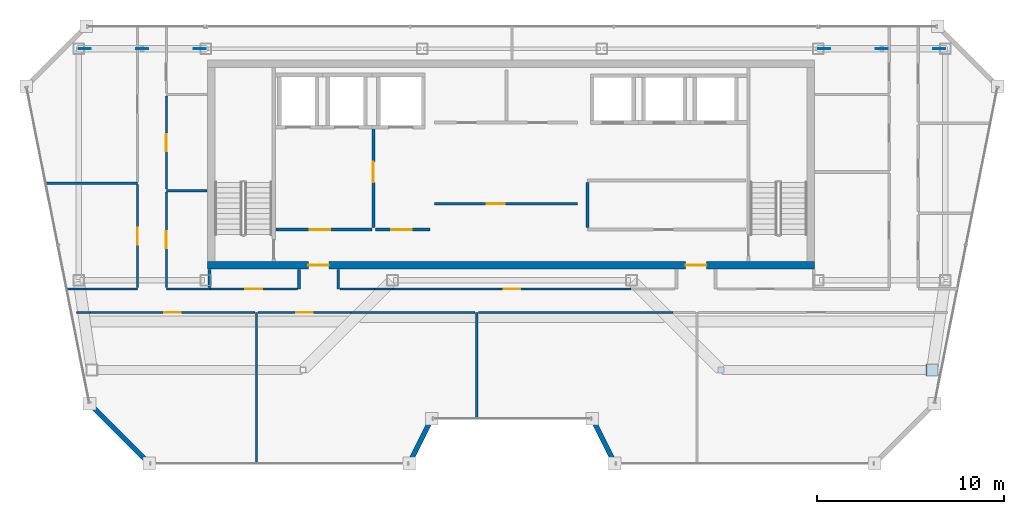
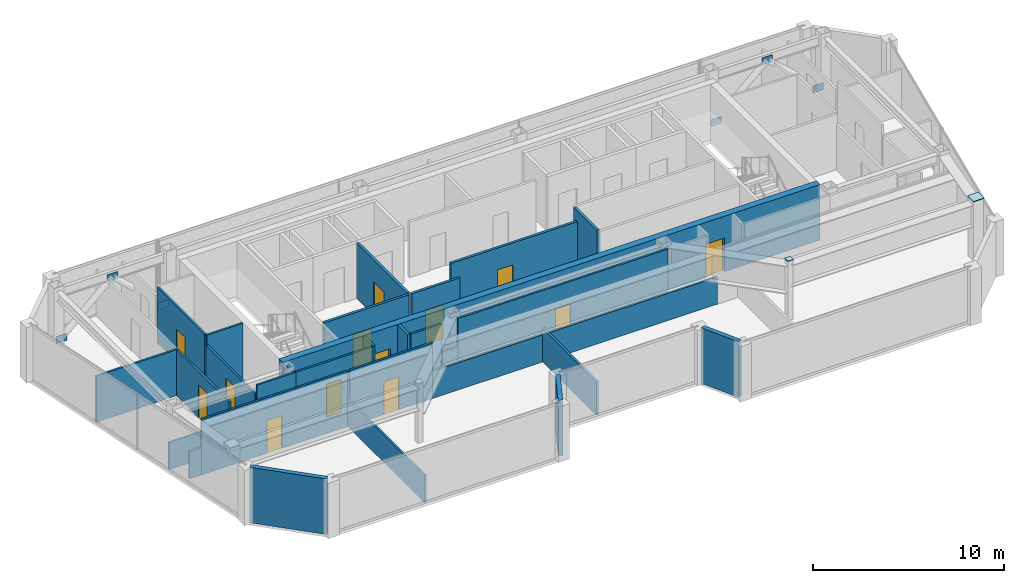
# One storey, part 19 of 24: 30 walls, 13 doors, 8 plates, 13 openings.
"""IFC4 building model written with IfcOpenShell, lengths in metres."""

import ifcopenshell
import ifcopenshell.guid

model = None  # the IFC model being written
_history = None  # IfcOwnerHistory: only IFC2X3 demands one
_inside = {}  # id of a spatial element -> (the spatial element, [elements in it])
_under = {}  # id of a project, library or spatial element -> (it, [spatial elements below it])
_declared = {}  # id of a project -> (the project, [libraries it declares])
_typed = {}  # id of a type object -> (the type object, [elements of that type])
_made_of = {}  # id of a material, layer set ... -> (it, [elements and type objects made of it])


def new_model(schema):
    """Start an empty IFC model of exactly this schema.

    Asked for "IFC4X3", IfcOpenShell would pick the latest addendum, in which some entities
    have other attributes; the version numbers below select the first issue.
    IFC2X3 requires an IfcOwnerHistory on every rooted entity: one is made here for all.
    """
    global model, _history
    if schema == "IFC4X3":
        model = ifcopenshell.file(schema_version=(4, 3, 0, 0))
    else:
        model = ifcopenshell.file(schema=schema)
    _inside.clear()
    _under.clear()
    _declared.clear()
    _typed.clear()
    _made_of.clear()
    _history = None
    if model.schema == "IFC2X3":
        org = make("IfcOrganization", Name="unknown")
        user = make(
            "IfcPersonAndOrganization",
            ThePerson=make("IfcPerson", FamilyName="unknown"),
            TheOrganization=org,
        )
        app = make(
            "IfcApplication",
            ApplicationDeveloper=org,
            Version="unknown",
            ApplicationFullName="unknown",
            ApplicationIdentifier="unknown",
        )
        _history = make(
            "IfcOwnerHistory",
            OwningUser=user,
            OwningApplication=app,
            ChangeAction="ADDED",
            CreationDate=0,
        )
    return model


def make(cls, **values):
    """One entity of the class cls with the attributes given. An attribute that is None is left unset."""
    return model.create_entity(
        cls, **{name: value for name, value in values.items() if value is not None}
    )


def rooted(cls, **values):
    """An entity with a GlobalId (a new one), such as an element, a storey or a relation."""
    return make(cls, GlobalId=ifcopenshell.guid.new(), OwnerHistory=_history, **values)


def si_unit(unit_type, name, prefix=None):
    """IfcSIUnit, for example si_unit("LENGTHUNIT", "METRE", prefix="MILLI")."""
    return make("IfcSIUnit", UnitType=unit_type, Prefix=prefix, Name=name)


def assignment(units):
    """IfcUnitAssignment: the units of a project."""
    return None if units is None else make("IfcUnitAssignment", Units=units)


def point(xyz):
    """IfcCartesianPoint."""
    return None if xyz is None else make("IfcCartesianPoint", Coordinates=xyz)


def direction(xyz):
    """IfcDirection."""
    return None if xyz is None else make("IfcDirection", DirectionRatios=xyz)


def frame(location, z_axis=None, x_axis=None):
    """IfcAxis2Placement3D, a coordinate frame: its origin and axes. An axis left out is left unset."""
    return make(
        "IfcAxis2Placement3D",
        Location=point(location),
        Axis=direction(z_axis),
        RefDirection=direction(x_axis),
    )


def frame_2d(location, x_axis=None):
    """IfcAxis2Placement2D, a coordinate frame in the plane: its origin and x axis."""
    return make(
        "IfcAxis2Placement2D", Location=point(location), RefDirection=direction(x_axis)
    )


def origin():
    """The frame at (0, 0, 0) with its axes left unset."""
    return frame((0.0, 0.0, 0.0))


def origin_2d():
    """The frame at (0, 0) in the plane with its x axis left unset."""
    return frame_2d((0.0, 0.0))


def place(relative_to, where):
    """IfcLocalPlacement: puts the frame where relative to a parent placement (None: the world)."""
    return make(
        "IfcLocalPlacement", PlacementRelTo=relative_to, RelativePlacement=where
    )


def context(
    kind, dimensions, precision=None, world=None, true_north=None, identifier=None
):
    """IfcGeometricRepresentationContext, for example the 3D "Model" context."""
    return make(
        "IfcGeometricRepresentationContext",
        ContextIdentifier=identifier,
        ContextType=kind,
        CoordinateSpaceDimension=dimensions,
        Precision=precision,
        WorldCoordinateSystem=world,
        TrueNorth=true_north,
    )


def subcontext(parent, identifier, kind, view, scale=None):
    """IfcGeometricRepresentationSubContext, for example "Body" below "Model"."""
    return make(
        "IfcGeometricRepresentationSubContext",
        ContextIdentifier=identifier,
        ContextType=kind,
        ParentContext=parent,
        TargetScale=scale,
        TargetView=view,
    )


def project(units=None, contexts=None):
    """IfcProject with its units and contexts."""
    return rooted(
        "IfcProject",
        Name="project",
        RepresentationContexts=contexts,
        UnitsInContext=assignment(units),
    )


def spatial(cls, under=None, at=None, **own):
    """A site, building, storey or space (cls), placed at a placement, below another one or the project."""
    s = rooted(cls, ObjectPlacement=at, **own)
    if under is not None:
        _under.setdefault(under.id(), (under, []))[1].append(s)
    return s


def profile(cls, at=None, kind="AREA", **sizes):
    """A parametric profile (cls). Its sizes go by their IFC names, for example OverallWidth=200.0."""
    return make(cls, ProfileType=kind, Position=at, **sizes)


def rectangle(**sizes):
    """IfcRectangleProfileDef."""
    return profile("IfcRectangleProfileDef", **sizes)


def extrude(swept, where, along, depth):
    """IfcExtrudedAreaSolid: the profile swept, set in the frame where, extruded along a direction by depth."""
    return make(
        "IfcExtrudedAreaSolid",
        SweptArea=swept,
        Position=where,
        ExtrudedDirection=direction(along),
        Depth=depth,
    )


def shape(context_of_items, identifier, shape_type, items):
    """IfcShapeRepresentation: the items that make up one representation, for example the "Body"."""
    return make(
        "IfcShapeRepresentation",
        ContextOfItems=context_of_items,
        RepresentationIdentifier=identifier,
        RepresentationType=shape_type,
        Items=items,
    )


def material(Name=None, Category=None):
    """IfcMaterial."""
    return make("IfcMaterial", Name=Name, Category=Category)


def layer(
    of_material, thickness, ventilated=None, Name=None, Category=None, Priority=None
):
    """IfcMaterialLayer: one layer of a wall or slab, of a material (None: an air gap)."""
    return make(
        "IfcMaterialLayer",
        Material=of_material,
        LayerThickness=thickness,
        IsVentilated=ventilated,
        Name=Name,
        Category=Category,
        Priority=Priority,
    )


def layer_set(layers, Name=None):
    """IfcMaterialLayerSet."""
    return make("IfcMaterialLayerSet", MaterialLayers=layers, LayerSetName=Name)


def made_of(thing, what):
    """Note that an element or type object is made of a material, layer set ...; save() writes the relation."""
    if what is not None:
        _made_of.setdefault(what.id(), (what, []))[1].append(thing)
    return thing


def type_object(cls, material=None, **own):
    """A type object (cls), such as IfcWallType, which elements share."""
    return made_of(rooted(cls, **own), material)


def element(
    cls,
    number,
    at=None,
    inside=None,
    cuts=None,
    type_object=None,
    material=None,
    context=None,
    identifier="Body",
    shape_type=None,
    held_by="IfcProductDefinitionShape",
    body=None,
    shapes=None,
    **own,
):
    """One element of the class cls, such as IfcWall. Its Tag is "e" and its number.

    at: its placement. inside: the storey or other place that contains it. cuts: it is an
    opening in that element (IfcRelVoidsElement). A single representation is given by context,
    identifier, shape_type and body (its items); several are given by shapes. held_by: the class
    of the entity that holds the representations. save() writes the other relations.
    """
    e = rooted(cls, Tag="e%d" % number, ObjectPlacement=at, **own)
    if body is not None:
        shapes = [shape(context, identifier, shape_type, body)]
    if shapes is not None:
        e.Representation = make(held_by, Representations=shapes)
    if inside is not None:
        _inside.setdefault(inside.id(), (inside, []))[1].append(e)
    if cuts is not None:
        rooted(
            "IfcRelVoidsElement", RelatingBuildingElement=cuts, RelatedOpeningElement=e
        )
    if type_object is not None:
        _typed.setdefault(type_object.id(), (type_object, []))[1].append(e)
    return made_of(e, material)


def fill(opening, filler):
    """IfcRelFillsElement: the door or window that sits in an opening."""
    return rooted(
        "IfcRelFillsElement",
        RelatingOpeningElement=opening,
        RelatedBuildingElement=filler,
    )


def aggregate(whole, parts):
    """IfcRelAggregates: a whole, such as a stair, and the parts it consists of."""
    return rooted("IfcRelAggregates", RelatingObject=whole, RelatedObjects=parts)


def save(model, path):
    """Write the relations noted so far, then the file.

    IfcRelAggregates (storeys below a building ...), IfcRelContainedInSpatialStructure (elements
    in a storey), IfcRelDefinesByType, IfcRelAssociatesMaterial and IfcRelDeclares: one each for
    every whole, place, type object, material and project.
    """
    for whole, parts in _under.values():
        aggregate(whole, parts)
    for where, things in _inside.values():
        rooted(
            "IfcRelContainedInSpatialStructure",
            RelatedElements=things,
            RelatingStructure=where,
        )
    for kind, things in _typed.values():
        rooted("IfcRelDefinesByType", RelatedObjects=things, RelatingType=kind)
    for what, things in _made_of.values():
        rooted("IfcRelAssociatesMaterial", RelatedObjects=things, RelatingMaterial=what)
    for by, libraries in _declared.values():
        rooted("IfcRelDeclares", RelatingContext=by, RelatedDefinitions=libraries)
    model.write(path)


model = new_model("IFC4")

# Units and contexts
model_context = context("Model", 3, precision=1e-05, world=origin(), true_north=direction((0.0, 1.0)))
body_context = subcontext(model_context, "Body", "Model", "MODEL_VIEW")
ifc_project = project(units=[si_unit("LENGTHUNIT", "METRE"), si_unit("AREAUNIT", "SQUARE_METRE"), si_unit("VOLUMEUNIT", "CUBIC_METRE"), si_unit("PLANEANGLEUNIT", "RADIAN"), si_unit("MASSUNIT", "GRAM", prefix="KILO")], contexts=[model_context])

# Site, building, storey
site_placement = place(None, origin())
site = spatial("IfcSite", under=ifc_project, at=site_placement, CompositionType="ELEMENT")
building_placement = place(site_placement, origin())
building = spatial("IfcBuilding", under=site, at=building_placement, Name="Saevonmaru Cultural Tower", CompositionType="ELEMENT")
storey_placement = place(building_placement, frame((0.0, 0.0, 306.60009765625)))
storey = spatial("IfcBuildingStorey", under=building, at=storey_placement, Name="L73", CompositionType="ELEMENT", Elevation=306.60009765625)

# Plates
ifc_material_1 = material(Name="Steel HSA600 (600 MPa)", Category="steel")
ifc_layer_1 = layer(ifc_material_1, 0.0400390625, Name="Steel HSA600 (600 MPa)")
ifc_layer_set_1 = layer_set([ifc_layer_1], Name="Steel HSA600 (600 MPa)")
plate_type_1 = type_object("IfcPlateType", Name="PL-CAP-300", PredefinedType="USERDEFINED", material=ifc_layer_set_1)
plate_1_placement = place(storey_placement, frame((41.19189453125, 37.60009765625, 3.794921875), z_axis=(0.0, 0.0, 1.0), x_axis=(1.0, 0.0, 0.0)))
element("IfcPlate", 1, at=plate_1_placement, inside=storey, type_object=plate_type_1, Name="Column head cap plate TC-EI-Y376 L73", ObjectType="CAP_PLATE", PredefinedType="USERDEFINED", context=body_context, shape_type="SweptSolid", body=[
    extrude(rectangle(XDim=0.340087890625, YDim=0.340087890625, at=origin_2d()), origin(), (0.0, 0.0, 1.0), 0.0400390625),
])
ifc_layer_2 = layer(ifc_material_1, 0.0400390625, Name="Steel HSA600 (600 MPa)")
ifc_layer_set_2 = layer_set([ifc_layer_2], Name="Steel HSA600 (600 MPa)")
plate_type_2 = type_object("IfcPlateType", Name="PL-CAP-600", PredefinedType="USERDEFINED", material=ifc_layer_set_2)
plate_2_placement = place(storey_placement, frame((52.491943359375, 37.60009765625, 3.794921875), z_axis=(0.0, 0.0, 1.0), x_axis=(1.0, 0.0, 0.0)))
element("IfcPlate", 2, at=plate_2_placement, inside=storey, type_object=plate_type_2, Name="Column head cap plate TC-EO-Y376 L73", ObjectType="CAP_PLATE", PredefinedType="USERDEFINED", context=body_context, shape_type="SweptSolid", body=[
    extrude(rectangle(XDim=0.639892578125, YDim=0.639892578125, at=origin_2d()), origin(), (0.0, 0.0, 1.0), 0.0400390625),
])
ifc_layer_3 = layer(ifc_material_1, 0.0400390625, Name="Steel HSA600 (600 MPa)")
ifc_layer_set_3 = layer_set([ifc_layer_3], Name="Steel HSA600 (600 MPa)")
plate_type_3 = type_object("IfcPlateType", Name="PL-GUSSET-EXT", PredefinedType="USERDEFINED", material=ifc_layer_set_3)
for number, where, z_axis, x_axis, name in (
    (3, (10.199951171875, 54.800048828125, 2.89990234375), (0.0, 0.0, 1.0), (1.0, 0.0, 0.0), "L73 Perimeter Tube Gusset Plate"),
    (4, (7.1201171875, 54.800048828125, 0.02001953125), (0.0, 0.0, 1.0), (1.0, 0.0, 0.0), "L73 Perimeter Tube Gusset Plate"),
    (5, (13.280029296875, 54.800048828125, 0.02001953125), (0.0, 0.0, 1.0), (1.0, 0.0, 0.0), "L73 Perimeter Tube Gusset Plate"),
    (6, (49.800048828125, 54.800048828125, 2.89990234375), (0.0, 0.0, 1.0), (1.0, 0.0, 0.0), "L73 Perimeter Tube Gusset Plate"),
    (7, (46.719970703125, 54.800048828125, 0.02001953125), (0.0, 0.0, 1.0), (1.0, 0.0, 0.0), "L73 Perimeter Tube Gusset Plate"),
    (8, (52.8798828125, 54.800048828125, 0.02001953125), (0.0, 0.0, 1.0), (1.0, 0.0, 0.0), "L73 Perimeter Tube Gusset Plate"),
):
    element("IfcPlate", number, at=place(storey_placement, frame(where, z_axis=z_axis, x_axis=x_axis)), inside=storey, type_object=plate_type_3, Name=name, ObjectType="GUSSET_PLATE", PredefinedType="USERDEFINED", context=body_context, shape_type="SweptSolid", body=[
        extrude(rectangle(XDim=0.639892578125, YDim=0.0400390625, at=origin_2d()), origin(), (0.0, 0.0, 1.0), 0.43994140625),
    ])

# Wall, openings, doors
ifc_material_2 = material(Name="Concrete C50/60", Category="concrete")
ifc_layer_4 = layer(ifc_material_2, 0.39990234375, Name="Concrete C50/60")
ifc_layer_set_4 = layer_set([ifc_layer_4], Name="Concrete C50/60")
wall_type_1 = type_object("IfcWallType", Name="WL-CORE-400", PredefinedType="SHEAR", material=ifc_layer_set_4)
wall_1_placement = place(storey_placement, frame((13.699951171875, 43.199951171875, 0.0), z_axis=(0.0, 0.0, 1.0), x_axis=(1.0, 0.0, 0.0)))
wall_1 = element("IfcWall", 9, at=wall_1_placement, inside=storey, type_object=wall_type_1, Name="L73 Tower RC core shear wall S", PredefinedType="SHEAR", context=body_context, shape_type="SweptSolid", body=[
    extrude(rectangle(XDim=32.5, YDim=0.39990234375, at=frame_2d((16.25, 0.0))), origin(), (0.0, 0.0, 1.0), 3.5498046875),
])
opening_1_placement = place(wall_1_placement, frame((5.39990234375, 0.0, 0.0)))
opening_1 = element("IfcOpeningElement", 10, at=opening_1_placement, cuts=wall_1, Name="Opening FD-2", PredefinedType="OPENING", context=body_context, shape_type="SweptSolid", body=[
    extrude(rectangle(XDim=1.10009765625, YDim=2.14990234375, at=frame_2d((0.550048828125, 1.074951171875))), frame((0.0, 0.2099609375, 0.0), z_axis=(0.0, -1.0, 0.0), x_axis=(1.0, 0.0, 0.0)), (0.0, 0.0, 1.0), 0.419921875),
])
opening_2_placement = place(wall_1_placement, frame((25.60009765625, 0.0, 0.0)))
opening_2 = element("IfcOpeningElement", 11, at=opening_2_placement, cuts=wall_1, Name="Opening FD-2", PredefinedType="OPENING", context=body_context, shape_type="SweptSolid", body=[
    extrude(rectangle(XDim=1.10009765625, YDim=2.14990234375, at=frame_2d((0.550048828125, 1.074951171875))), frame((0.0, 0.2099609375, 0.0), z_axis=(0.0, -1.0, 0.0), x_axis=(1.0, 0.0, 0.0)), (0.0, 0.0, 1.0), 0.419921875),
])
ifc_material_3 = material(Name="Satin Bronze Anodised Aluminium", Category="aluminium")
door_type_1 = type_object("IfcDoorType", Name="DR-FD60-1100", OperationType="SINGLE_SWING_LEFT", PredefinedType="DOOR", material=ifc_material_3)
door_1_placement = place(opening_1_placement, origin())
door_1 = element("IfcDoor", 12, at=door_1_placement, inside=storey, type_object=door_type_1, Name="L73 Core West Lobby Fire Door", OperationType="SINGLE_SWING_LEFT", OverallHeight=2.14990234375, OverallWidth=1.10009765625, PredefinedType="DOOR", context=body_context, shape_type="SweptSolid", body=[
    extrude(rectangle(XDim=1.10009765625, YDim=2.14990234375, at=frame_2d((0.550048828125, 1.074951171875))), frame((0.0, 0.02490234375, 0.0), z_axis=(0.0, -1.0, 0.0), x_axis=(1.0, 0.0, 0.0)), (0.0, 0.0, 1.0), 0.050048828125),
])
fill(opening_1, door_1)
door_2_placement = place(opening_2_placement, origin())
door_2 = element("IfcDoor", 13, at=door_2_placement, inside=storey, type_object=door_type_1, Name="L73 Core East Lobby Fire Door", OperationType="SINGLE_SWING_LEFT", OverallHeight=2.14990234375, OverallWidth=1.10009765625, PredefinedType="DOOR", context=body_context, shape_type="SweptSolid", body=[
    extrude(rectangle(XDim=1.10009765625, YDim=2.14990234375, at=frame_2d((0.550048828125, 1.074951171875))), frame((0.0, 0.02490234375, 0.0), z_axis=(0.0, -1.0, 0.0), x_axis=(1.0, 0.0, 0.0)), (0.0, 0.0, 1.0), 0.050048828125),
])
fill(opening_2, door_2)

# Wall, opening, door
ifc_material_4 = material(Name="Gypsum Fireboard Partition", Category="gypsum")
ifc_layer_5 = layer(ifc_material_4, 0.14990234375, Name="Gypsum Fireboard Partition")
ifc_layer_set_5 = layer_set([ifc_layer_5], Name="Gypsum Fireboard Partition")
wall_type_2 = type_object("IfcWallType", Name="WL-CORE-PART-150", PredefinedType="PARTITIONING", material=ifc_layer_set_5)
wall_2_placement = place(storey_placement, frame((17.360107421875, 45.1201171875, 0.0), z_axis=(0.0, 0.0, 1.0), x_axis=(1.0, 0.0, 0.0)))
wall_2 = element("IfcWall", 14, at=wall_2_placement, inside=storey, type_object=wall_type_2, Name="L73 Firefighting Lift Lobby South Wall", PredefinedType="PARTITIONING", context=body_context, shape_type="SweptSolid", body=[
    extrude(rectangle(XDim=5.139892578125, YDim=0.14990234375, at=frame_2d((2.56982421875, 0.0))), origin(), (0.0, 0.0, 1.0), 3.5498046875),
])
opening_3_placement = place(wall_2_placement, frame((1.800048828125, 0.0, 0.0)))
opening_3 = element("IfcOpeningElement", 15, at=opening_3_placement, cuts=wall_2, Name="Opening FD-2", PredefinedType="OPENING", context=body_context, shape_type="SweptSolid", body=[
    extrude(rectangle(XDim=1.10009765625, YDim=2.14990234375, at=frame_2d((0.550048828125, 1.074951171875))), frame((0.0, 0.0849609375, 0.0), z_axis=(0.0, -1.0, 0.0), x_axis=(1.0, 0.0, 0.0)), (0.0, 0.0, 1.0), 0.169921875),
])
door_3_placement = place(opening_3_placement, origin())
door_3 = element("IfcDoor", 16, at=door_3_placement, inside=storey, type_object=door_type_1, Name="L73 Firefighting Lift Lobby South Door", OperationType="SINGLE_SWING_LEFT", OverallHeight=2.14990234375, OverallWidth=1.10009765625, PredefinedType="DOOR", context=body_context, shape_type="SweptSolid", body=[
    extrude(rectangle(XDim=1.10009765625, YDim=2.14990234375, at=frame_2d((0.550048828125, 1.074951171875))), frame((0.0, 0.02490234375, 0.0), z_axis=(0.0, -1.0, 0.0), x_axis=(1.0, 0.0, 0.0)), (0.0, 0.0, 1.0), 0.050048828125),
])
fill(opening_3, door_3)

wall_3_placement = place(storey_placement, frame((22.580078125, 50.550048828125, 0.0), z_axis=(0.0, 0.0, 1.0), x_axis=(0.0, -1.0, 0.0)))
wall_3 = element("IfcWall", 17, at=wall_3_placement, inside=storey, type_object=wall_type_2, Name="L73 Firefighting Lift Lobby East Wall", PredefinedType="PARTITIONING", context=body_context, shape_type="SweptSolid", body=[
    extrude(rectangle(XDim=5.330078125, YDim=0.14990234375, at=frame_2d((2.6650390625, 0.0))), origin(), (0.0, 0.0, 1.0), 3.5498046875),
])
opening_4_placement = place(wall_3_placement, frame((1.800048828125, 0.0, 0.0)))
opening_4 = element("IfcOpeningElement", 18, at=opening_4_placement, cuts=wall_3, Name="Opening FD-2", PredefinedType="OPENING", context=body_context, shape_type="SweptSolid", body=[
    extrude(rectangle(XDim=1.10009765625, YDim=2.14990234375, at=frame_2d((0.550048828125, 1.074951171875))), frame((0.0, 0.0849609375, 0.0), z_axis=(0.0, -1.0, 0.0), x_axis=(1.0, 0.0, 0.0)), (0.0, 0.0, 1.0), 0.169921875),
])
door_4_placement = place(opening_4_placement, origin())
door_4 = element("IfcDoor", 19, at=door_4_placement, inside=storey, type_object=door_type_1, Name="L73 Firefighting Lift Lobby East Door", OperationType="SINGLE_SWING_LEFT", OverallHeight=2.14990234375, OverallWidth=1.10009765625, PredefinedType="DOOR", context=body_context, shape_type="SweptSolid", body=[
    extrude(rectangle(XDim=1.10009765625, YDim=2.14990234375, at=frame_2d((0.550048828125, 1.074951171875))), frame((0.0, 0.02490234375, 0.0), z_axis=(0.0, -1.0, 0.0), x_axis=(1.0, 0.0, 0.0)), (0.0, 0.0, 1.0), 0.050048828125),
])
fill(opening_4, door_4)

wall_4_placement = place(storey_placement, frame((22.679931640625, 45.1201171875, 0.0), z_axis=(0.0, 0.0, 1.0), x_axis=(1.0, 0.0, 0.0)))
wall_4 = element("IfcWall", 20, at=wall_4_placement, inside=storey, type_object=wall_type_2, Name="L73 Service Lift Vestibule Wall", PredefinedType="PARTITIONING", context=body_context, shape_type="SweptSolid", body=[
    extrude(rectangle(XDim=2.920166015625, YDim=0.14990234375, at=frame_2d((1.4599609375, 0.0))), origin(), (0.0, 0.0, 1.0), 3.5498046875),
])
opening_5_placement = place(wall_4_placement, frame((0.85009765625, 0.0, 0.0)))
opening_5 = element("IfcOpeningElement", 21, at=opening_5_placement, cuts=wall_4, Name="Opening FD-2", PredefinedType="OPENING", context=body_context, shape_type="SweptSolid", body=[
    extrude(rectangle(XDim=1.10009765625, YDim=2.14990234375, at=frame_2d((0.550048828125, 1.074951171875))), frame((0.0, 0.0849609375, 0.0), z_axis=(0.0, -1.0, 0.0), x_axis=(1.0, 0.0, 0.0)), (0.0, 0.0, 1.0), 0.169921875),
])
door_5_placement = place(opening_5_placement, origin())
door_5 = element("IfcDoor", 22, at=door_5_placement, inside=storey, type_object=door_type_1, Name="L73 Service Lift Vestibule Door", OperationType="SINGLE_SWING_LEFT", OverallHeight=2.14990234375, OverallWidth=1.10009765625, PredefinedType="DOOR", context=body_context, shape_type="SweptSolid", body=[
    extrude(rectangle(XDim=1.10009765625, YDim=2.14990234375, at=frame_2d((0.550048828125, 1.074951171875))), frame((0.0, 0.02490234375, 0.0), z_axis=(0.0, -1.0, 0.0), x_axis=(1.0, 0.0, 0.0)), (0.0, 0.0, 1.0), 0.050048828125),
])
fill(opening_5, door_5)

# Wall
wall_5_placement = place(storey_placement, frame((34.050048828125, 45.219970703125, 0.0), z_axis=(0.0, 0.0, 1.0), x_axis=(0.0, 1.0, 0.0)))
element("IfcWall", 23, at=wall_5_placement, inside=storey, type_object=wall_type_2, Name="L73 Core Service West Wall", PredefinedType="PARTITIONING", context=body_context, shape_type="SweptSolid", body=[
    extrude(rectangle(XDim=2.429931640625, YDim=0.14990234375, at=frame_2d((1.21484375, 0.0))), origin(), (0.0, 0.0, 1.0), 3.5498046875),
])

# Wall, opening, door
wall_6_placement = place(storey_placement, frame((25.85009765625, 46.5, 0.0), z_axis=(0.0, 0.0, 1.0), x_axis=(1.0, 0.0, 0.0)))
wall_6 = element("IfcWall", 24, at=wall_6_placement, inside=storey, type_object=wall_type_2, Name="L73 Reclaimed Mid-Shaft Wall", PredefinedType="PARTITIONING", context=body_context, shape_type="SweptSolid", body=[
    extrude(rectangle(XDim=7.64990234375, YDim=0.14990234375, at=frame_2d((3.824951171875, 0.0))), origin(), (0.0, 0.0, 1.0), 3.5498046875),
])
opening_6_placement = place(wall_6_placement, frame((2.800048828125, 0.0, 0.0)))
opening_6 = element("IfcOpeningElement", 25, at=opening_6_placement, cuts=wall_6, Name="Opening FD-4", PredefinedType="OPENING", context=body_context, shape_type="SweptSolid", body=[
    extrude(rectangle(XDim=0.949951171875, YDim=2.14990234375, at=frame_2d((0.47509765625, 1.074951171875))), frame((0.0, 0.0849609375, 0.0), z_axis=(0.0, -1.0, 0.0), x_axis=(1.0, 0.0, 0.0)), (0.0, 0.0, 1.0), 0.169921875),
])
door_type_2 = type_object("IfcDoorType", Name="DR-FD60-950", OperationType="SINGLE_SWING_LEFT", PredefinedType="DOOR", material=ifc_material_3)
door_6_placement = place(opening_6_placement, origin())
door_6 = element("IfcDoor", 26, at=door_6_placement, inside=storey, type_object=door_type_2, Name="L73 Reclaimed Manuscript Storage Door", OperationType="SINGLE_SWING_LEFT", OverallHeight=2.14990234375, OverallWidth=0.949951171875, PredefinedType="DOOR", context=body_context, shape_type="SweptSolid", body=[
    extrude(rectangle(XDim=0.949951171875, YDim=2.14990234375, at=frame_2d((0.47509765625, 1.074951171875))), frame((0.0, 0.02490234375, 0.0), z_axis=(0.0, -1.0, 0.0), x_axis=(1.0, 0.0, 0.0)), (0.0, 0.0, 1.0), 0.050048828125),
])
fill(opening_6, door_6)

# Walls
ifc_material_5 = material(Name="Granite-Clad Precast Concrete C40/50", Category="masonry")
ifc_layer_6 = layer(ifc_material_5, 0.260009765625, Name="Granite-Clad Precast Concrete C40/50")
ifc_layer_set_6 = layer_set([ifc_layer_6], Name="Granite-Clad Precast Concrete C40/50")
wall_type_3 = type_object("IfcWallType", Name="WL-EXT-SPANDREL-260", PredefinedType="STANDARD", material=ifc_layer_set_6)
wall_7_placement = place(storey_placement, frame((7.4931640625, 35.68701171875, 0.0), z_axis=(0.0, 0.0, 1.0), x_axis=(0.70707775441, -0.707135806771, 0.0)))
element("IfcWall", 27, at=wall_7_placement, inside=storey, type_object=wall_type_3, Name="L73 Chamfer Corner Spandrel Wall E1", PredefinedType="STANDARD", context=body_context, shape_type="SweptSolid", body=[
    extrude(rectangle(XDim=4.20556640625, YDim=0.260009765625, at=frame_2d((2.102783203125, 0.0))), origin(), (0.0, 0.0, 1.0), 3.5498046875),
])
for number, where, z_axis, x_axis, name in (
    (28, (24.571533203125, 32.7431640625, 0.0), (0.0, 0.0, 1.0), (0.4472135955, 0.894427191, 0.0), "L73 Chamfer Corner Spandrel Wall E3"),
    (29, (34.37158203125, 34.85693359375, 0.0), (0.0, 0.0, 1.0), (0.4472135955, -0.894427191, 0.0), "L73 Chamfer Corner Spandrel Wall E5"),
):
    element("IfcWall", number, at=place(storey_placement, frame(where, z_axis=z_axis, x_axis=x_axis)), inside=storey, type_object=wall_type_3, Name=name, PredefinedType="STANDARD", context=body_context, shape_type="SweptSolid", body=[
        extrude(rectangle(XDim=2.36328125, YDim=0.260009765625, at=frame_2d((1.181640625, 0.0))), origin(), (0.0, 0.0, 1.0), 3.5498046875),
    ])
ifc_layer_7 = layer(ifc_material_4, 0.14990234375, Name="Gypsum Fireboard Partition")
ifc_layer_set_7 = layer_set([ifc_layer_7], Name="Gypsum Fireboard Partition")
wall_type_4 = type_object("IfcWallType", Name="WL-PART-FIRE-150", PredefinedType="PARTITIONING", material=ifc_layer_set_7)
wall_8_placement = place(storey_placement, frame((13.800048828125, 42.02001953125, 0.0), z_axis=(0.0, 0.0, 1.0), x_axis=(0.0, 1.0, 0.0)))
element("IfcWall", 30, at=wall_8_placement, inside=storey, type_object=wall_type_4, Name="L73 Core Portal Side Wall W0", PredefinedType="PARTITIONING", context=body_context, shape_type="SweptSolid", body=[
    extrude(rectangle(XDim=0.9599609375, YDim=0.14990234375, at=frame_2d((0.47998046875, 0.0))), origin(), (0.0, 0.0, 1.0), 3.5498046875),
])
for number, where, z_axis, x_axis, name in (
    (31, (18.60009765625, 41.93994140625, 0.0), (0.0, 0.0, 1.0), (0.0, 1.0, 0.0), "L73 Core Portal Side Wall W1"),
    (32, (20.699951171875, 41.93994140625, 0.0), (0.0, 0.0, 1.0), (0.0, 1.0, 0.0), "L73 Core Portal Side Wall W2"),
):
    element("IfcWall", number, at=place(storey_placement, frame(where, z_axis=z_axis, x_axis=x_axis)), inside=storey, type_object=wall_type_4, Name=name, PredefinedType="PARTITIONING", context=body_context, shape_type="SweptSolid", body=[
        extrude(rectangle(XDim=1.0400390625, YDim=0.14990234375, at=frame_2d((0.52001953125, 0.0))), origin(), (0.0, 0.0, 1.0), 3.5498046875),
    ])
ifc_layer_8 = layer(ifc_material_4, 0.1201171875, Name="Gypsum Fireboard Partition")
ifc_layer_set_8 = layer_set([ifc_layer_8], Name="Gypsum Fireboard Partition")
wall_type_5 = type_object("IfcWallType", Name="WL-PART-GYP-120", PredefinedType="PARTITIONING", material=ifc_layer_set_8)
wall_9_placement = place(storey_placement, frame((6.164306640625, 41.93994140625, 0.0), z_axis=(0.0, 0.0, 1.0), x_axis=(1.0, 0.0, 0.0)))
element("IfcWall", 33, at=wall_9_placement, inside=storey, type_object=wall_type_5, Name="L73 NW Wing South Wall", PredefinedType="PARTITIONING", context=body_context, shape_type="SweptSolid", body=[
    extrude(rectangle(XDim=3.78564453125, YDim=0.1201171875, at=frame_2d((1.892822265625, 0.0))), origin(), (0.0, 0.0, 1.0), 1.73486328125),
])
wall_10_placement = place(storey_placement, frame((11.5, 41.93994140625, 0.0), z_axis=(0.0, 0.0, 1.0), x_axis=(1.0, 0.0, 0.0)))
element("IfcWall", 34, at=wall_10_placement, inside=storey, type_object=wall_type_5, Name="L73 NW Inner South Wall", PredefinedType="PARTITIONING", context=body_context, shape_type="SweptSolid", body=[
    extrude(rectangle(XDim=2.35009765625, YDim=0.1201171875, at=frame_2d((1.175048828125, 0.0))), origin(), (0.0, 0.0, 1.0), 3.5498046875),
])
wall_11_placement = place(storey_placement, frame((5.0390625, 47.60009765625, 0.0), z_axis=(0.0, 0.0, 1.0), x_axis=(1.0, 0.0, 0.0)))
element("IfcWall", 35, at=wall_11_placement, inside=storey, type_object=wall_type_5, Name="L73 NW Studio Divider 1", PredefinedType="PARTITIONING", context=body_context, shape_type="SweptSolid", body=[
    extrude(rectangle(XDim=4.910888671875, YDim=0.1201171875, at=frame_2d((2.45556640625, 0.0))), origin(), (0.0, 0.0, 1.0), 2.947021484375),
])

# Wall, opening, door
wall_12_placement = place(storey_placement, frame((9.949951171875, 42.02001953125, 0.0), z_axis=(0.0, 0.0, 1.0), x_axis=(0.0, 1.0, 0.0)))
wall_12 = element("IfcWall", 36, at=wall_12_placement, inside=storey, type_object=wall_type_5, Name="L73 Translation Research Office Corridor Wall", PredefinedType="PARTITIONING", context=body_context, shape_type="SweptSolid", body=[
    extrude(rectangle(XDim=5.5, YDim=0.1201171875, at=frame_2d((2.75, 0.0))), origin(), (0.0, 0.0, 1.0), 2.947021484375),
])
opening_7_placement = place(wall_12_placement, frame((2.300048828125, 0.0, 0.0)))
opening_7 = element("IfcOpeningElement", 37, at=opening_7_placement, cuts=wall_12, Name="Opening ID-2", PredefinedType="OPENING", context=body_context, shape_type="SweptSolid", body=[
    extrude(rectangle(XDim=0.89990234375, YDim=2.10009765625, at=frame_2d((0.449951171875, 1.050048828125))), frame((0.0, 0.070068359375, 0.0), z_axis=(0.0, -1.0, 0.0), x_axis=(1.0, 0.0, 0.0)), (0.0, 0.0, 1.0), 0.14013671875),
])
ifc_material_6 = material(Name="Acoustic Stained Oak Timber", Category="wood")
door_type_3 = type_object("IfcDoorType", Name="DR-INT-900", OperationType="SINGLE_SWING_RIGHT", PredefinedType="DOOR", material=ifc_material_6)
door_7_placement = place(opening_7_placement, origin())
door_7 = element("IfcDoor", 38, at=door_7_placement, inside=storey, type_object=door_type_3, Name="L73 Translation Research Office Door", OperationType="SINGLE_SWING_RIGHT", OverallHeight=2.10009765625, OverallWidth=0.89990234375, PredefinedType="DOOR", context=body_context, shape_type="SweptSolid", body=[
    extrude(rectangle(XDim=0.89990234375, YDim=2.10009765625, at=frame_2d((0.449951171875, 1.050048828125))), frame((0.0, 0.02490234375, 0.0), z_axis=(0.0, -1.0, 0.0), x_axis=(1.0, 0.0, 0.0)), (0.0, 0.0, 1.0), 0.050048828125),
])
fill(opening_7, door_7)

# Wall
wall_13_placement = place(storey_placement, frame((11.5, 47.199951171875, 0.0), z_axis=(0.0, 0.0, 1.0), x_axis=(1.0, 0.0, 0.0)))
element("IfcWall", 39, at=wall_13_placement, inside=storey, type_object=wall_type_5, Name="L73 NW Inner Divider", PredefinedType="PARTITIONING", context=body_context, shape_type="SweptSolid", body=[
    extrude(rectangle(XDim=2.179931640625, YDim=0.1201171875, at=frame_2d((1.08984375, 0.0))), origin(), (0.0, 0.0, 1.0), 3.5498046875),
])

# Wall, opening, door
wall_14_placement = place(storey_placement, frame((11.5, 42.02001953125, 0.0), z_axis=(0.0, 0.0, 1.0), x_axis=(0.0, 1.0, 0.0)))
wall_14 = element("IfcWall", 40, at=wall_14_placement, inside=storey, type_object=wall_type_5, Name="L73 Architecture Residency Office Corridor Wall", PredefinedType="PARTITIONING", context=body_context, shape_type="SweptSolid", body=[
    extrude(rectangle(XDim=5.10009765625, YDim=0.1201171875, at=frame_2d((2.550048828125, 0.0))), origin(), (0.0, 0.0, 1.0), 2.947021484375),
])
opening_8_placement = place(wall_14_placement, frame((2.10009765625, 0.0, 0.0)))
opening_8 = element("IfcOpeningElement", 41, at=opening_8_placement, cuts=wall_14, Name="Opening ID-2", PredefinedType="OPENING", context=body_context, shape_type="SweptSolid", body=[
    extrude(rectangle(XDim=0.89990234375, YDim=2.10009765625, at=frame_2d((0.449951171875, 1.050048828125))), frame((0.0, 0.070068359375, 0.0), z_axis=(0.0, -1.0, 0.0), x_axis=(1.0, 0.0, 0.0)), (0.0, 0.0, 1.0), 0.14013671875),
])
door_8_placement = place(opening_8_placement, origin())
door_8 = element("IfcDoor", 42, at=door_8_placement, inside=storey, type_object=door_type_3, Name="L73 Architecture Residency Office Door", OperationType="SINGLE_SWING_RIGHT", OverallHeight=2.10009765625, OverallWidth=0.89990234375, PredefinedType="DOOR", context=body_context, shape_type="SweptSolid", body=[
    extrude(rectangle(XDim=0.89990234375, YDim=2.10009765625, at=frame_2d((0.449951171875, 1.050048828125))), frame((0.0, 0.02490234375, 0.0), z_axis=(0.0, -1.0, 0.0), x_axis=(1.0, 0.0, 0.0)), (0.0, 0.0, 1.0), 0.050048828125),
])
fill(opening_8, door_8)

wall_15_placement = place(storey_placement, frame((11.5, 47.280029296875, 0.0), z_axis=(0.0, 0.0, 1.0), x_axis=(0.0, 1.0, 0.0)))
wall_15 = element("IfcWall", 43, at=wall_15_placement, inside=storey, type_object=wall_type_5, Name="L73 Literature Seminar Meeting Room Corridor Wall", PredefinedType="PARTITIONING", context=body_context, shape_type="SweptSolid", body=[
    extrude(rectangle(XDim=4.989990234375, YDim=0.1201171875, at=frame_2d((2.4951171875, 0.0))), origin(), (0.0, 0.0, 1.0), 3.5498046875),
])
opening_9_placement = place(wall_15_placement, frame((2.044921875, 0.0, 0.0)))
opening_9 = element("IfcOpeningElement", 44, at=opening_9_placement, cuts=wall_15, Name="Opening ID-2", PredefinedType="OPENING", context=body_context, shape_type="SweptSolid", body=[
    extrude(rectangle(XDim=0.89990234375, YDim=2.10009765625, at=frame_2d((0.449951171875, 1.050048828125))), frame((0.0, 0.070068359375, 0.0), z_axis=(0.0, -1.0, 0.0), x_axis=(1.0, 0.0, 0.0)), (0.0, 0.0, 1.0), 0.14013671875),
])
door_9_placement = place(opening_9_placement, origin())
door_9 = element("IfcDoor", 45, at=door_9_placement, inside=storey, type_object=door_type_3, Name="L73 Literature Seminar Meeting Room Door", OperationType="SINGLE_SWING_LEFT", OverallHeight=2.10009765625, OverallWidth=0.89990234375, PredefinedType="DOOR", context=body_context, shape_type="SweptSolid", body=[
    extrude(rectangle(XDim=0.89990234375, YDim=2.10009765625, at=frame_2d((0.449951171875, 1.050048828125))), frame((0.0, 0.02490234375, 0.0), z_axis=(0.0, -1.0, 0.0), x_axis=(1.0, 0.0, 0.0)), (0.0, 0.0, 1.0), 0.050048828125),
])
fill(opening_9, door_9)

wall_16_placement = place(storey_placement, frame((13.85009765625, 41.93994140625, 0.0), z_axis=(0.0, 0.0, 1.0), x_axis=(1.0, 0.0, 0.0)))
wall_16 = element("IfcWall", 46, at=wall_16_placement, inside=storey, type_object=wall_type_5, Name="L73 Translation Research Office Corridor Wall", PredefinedType="PARTITIONING", context=body_context, shape_type="SweptSolid", body=[
    extrude(rectangle(XDim=4.65478515625, YDim=0.1201171875, at=frame_2d((2.327392578125, 0.0))), origin(), (0.0, 0.0, 1.0), 3.5498046875),
])
opening_10_placement = place(wall_16_placement, frame((1.876953125, 0.0, 0.0)))
opening_10 = element("IfcOpeningElement", 47, at=opening_10_placement, cuts=wall_16, Name="Opening ID-2", PredefinedType="OPENING", context=body_context, shape_type="SweptSolid", body=[
    extrude(rectangle(XDim=0.89990234375, YDim=2.10009765625, at=frame_2d((0.449951171875, 1.050048828125))), frame((0.0, 0.070068359375, 0.0), z_axis=(0.0, -1.0, 0.0), x_axis=(1.0, 0.0, 0.0)), (0.0, 0.0, 1.0), 0.14013671875),
])
door_10_placement = place(opening_10_placement, origin())
door_10 = element("IfcDoor", 48, at=door_10_placement, inside=storey, type_object=door_type_3, Name="L73 Translation Research Office Door", OperationType="SINGLE_SWING_LEFT", OverallHeight=2.10009765625, OverallWidth=0.89990234375, PredefinedType="DOOR", context=body_context, shape_type="SweptSolid", body=[
    extrude(rectangle(XDim=0.89990234375, YDim=2.10009765625, at=frame_2d((0.449951171875, 1.050048828125))), frame((0.0, 0.02490234375, 0.0), z_axis=(0.0, -1.0, 0.0), x_axis=(1.0, 0.0, 0.0)), (0.0, 0.0, 1.0), 0.050048828125),
])
fill(opening_10, door_10)

wall_17_placement = place(storey_placement, frame((23.642333984375, 41.93994140625, 0.0), z_axis=(0.0, 0.0, 1.0), x_axis=(1.0, 0.0, 0.0)))
wall_17 = element("IfcWall", 49, at=wall_17_placement, inside=storey, type_object=wall_type_5, Name="L73 Architecture Residency Office Corridor Wall", PredefinedType="PARTITIONING", context=body_context, shape_type="SweptSolid", body=[
    extrude(rectangle(XDim=12.71533203125, YDim=0.1201171875, at=frame_2d((6.357666015625, 0.0))), origin(), (0.0, 0.0, 1.0), 3.5498046875),
])
opening_11_placement = place(wall_17_placement, frame((5.907958984375, 0.0, 0.0)))
opening_11 = element("IfcOpeningElement", 50, at=opening_11_placement, cuts=wall_17, Name="Opening ID-2", PredefinedType="OPENING", context=body_context, shape_type="SweptSolid", body=[
    extrude(rectangle(XDim=0.89990234375, YDim=2.10009765625, at=frame_2d((0.449951171875, 1.050048828125))), frame((0.0, 0.070068359375, 0.0), z_axis=(0.0, -1.0, 0.0), x_axis=(1.0, 0.0, 0.0)), (0.0, 0.0, 1.0), 0.14013671875),
])
door_11_placement = place(opening_11_placement, origin())
door_11 = element("IfcDoor", 51, at=door_11_placement, inside=storey, type_object=door_type_3, Name="L73 Architecture Residency Office Door", OperationType="SINGLE_SWING_RIGHT", OverallHeight=2.10009765625, OverallWidth=0.89990234375, PredefinedType="DOOR", context=body_context, shape_type="SweptSolid", body=[
    extrude(rectangle(XDim=0.89990234375, YDim=2.10009765625, at=frame_2d((0.449951171875, 1.050048828125))), frame((0.0, 0.02490234375, 0.0), z_axis=(0.0, -1.0, 0.0), x_axis=(1.0, 0.0, 0.0)), (0.0, 0.0, 1.0), 0.050048828125),
])
fill(opening_11, door_11)

# Walls
wall_18_placement = place(storey_placement, frame((20.794921875, 41.93994140625, 0.0), z_axis=(0.0, 0.0, 1.0), x_axis=(1.0, 0.0, 0.0)))
element("IfcWall", 52, at=wall_18_placement, inside=storey, type_object=wall_type_5, Name="L73 Architecture Residency Office Corridor Wall (2)", PredefinedType="PARTITIONING", context=body_context, shape_type="SweptSolid", body=[
    extrude(rectangle(XDim=1.84423828125, YDim=0.1201171875, at=frame_2d((0.922119140625, 0.0))), origin(), (0.0, 0.0, 1.0), 3.5498046875),
])
wall_19_placement = place(storey_placement, frame((22.63916015625, 41.93994140625, 0.0), z_axis=(0.0, 0.0, 1.0), x_axis=(1.0, 0.0, 0.0)))
element("IfcWall", 53, at=wall_19_placement, inside=storey, type_object=wall_type_5, Name="L73 Architecture Residency Office Corridor Wall (4)", PredefinedType="PARTITIONING", context=body_context, shape_type="SweptSolid", body=[
    extrude(rectangle(XDim=1.003173828125, YDim=0.1201171875, at=frame_2d((0.50146484375, 0.0))), origin(), (0.0, 0.0, 1.0), 1.73486328125),
])
wall_20_placement = place(storey_placement, frame((16.320068359375, 32.60498046875, 0.0), z_axis=(0.0, 0.0, 1.0), x_axis=(0.0, 1.0, 0.0)))
element("IfcWall", 54, at=wall_20_placement, inside=storey, type_object=wall_type_5, Name="L73 Observatory Bay Divider 1", PredefinedType="PARTITIONING", context=body_context, shape_type="SweptSolid", body=[
    extrude(rectangle(XDim=8.074951171875, YDim=0.1201171875, at=frame_2d((4.03759765625, 0.0))), origin(), (0.0, 0.0, 1.0), 1.73486328125),
])

# Wall, opening, door
wall_21_placement = place(storey_placement, frame((7.41259765625, 40.679931640625, 0.0), z_axis=(0.0, 0.0, 1.0), x_axis=(1.0, 0.0, 0.0)))
wall_21 = element("IfcWall", 55, at=wall_21_placement, inside=storey, type_object=wall_type_5, Name="L73 Translation Research Office Corridor Wall", PredefinedType="PARTITIONING", context=body_context, shape_type="SweptSolid", body=[
    extrude(rectangle(XDim=8.827392578125, YDim=0.1201171875, at=frame_2d((4.41357421875, 0.0))), origin(), (0.0, 0.0, 1.0), 3.5498046875),
])
opening_12_placement = place(wall_21_placement, frame((3.964111328125, 0.0, 0.0)))
opening_12 = element("IfcOpeningElement", 56, at=opening_12_placement, cuts=wall_21, Name="Opening ID-2", PredefinedType="OPENING", context=body_context, shape_type="SweptSolid", body=[
    extrude(rectangle(XDim=0.89990234375, YDim=2.10009765625, at=frame_2d((0.449951171875, 1.050048828125))), frame((0.0, 0.070068359375, 0.0), z_axis=(0.0, -1.0, 0.0), x_axis=(1.0, 0.0, 0.0)), (0.0, 0.0, 1.0), 0.14013671875),
])
door_12_placement = place(opening_12_placement, origin())
door_12 = element("IfcDoor", 57, at=door_12_placement, inside=storey, type_object=door_type_3, Name="L73 Translation Research Office Door", OperationType="SINGLE_SWING_RIGHT", OverallHeight=2.10009765625, OverallWidth=0.89990234375, PredefinedType="DOOR", context=body_context, shape_type="SweptSolid", body=[
    extrude(rectangle(XDim=0.89990234375, YDim=2.10009765625, at=frame_2d((0.449951171875, 1.050048828125))), frame((0.0, 0.02490234375, 0.0), z_axis=(0.0, -1.0, 0.0), x_axis=(1.0, 0.0, 0.0)), (0.0, 0.0, 1.0), 0.050048828125),
])
fill(opening_12, door_12)

# Wall
wall_22_placement = place(storey_placement, frame((6.69482421875, 40.679931640625, 0.0), z_axis=(0.0, 0.0, 1.0), x_axis=(1.0, 0.0, 0.0)))
element("IfcWall", 58, at=wall_22_placement, inside=storey, type_object=wall_type_5, Name="L73 Translation Research Office Corridor Wall (2)", PredefinedType="PARTITIONING", context=body_context, shape_type="SweptSolid", body=[
    extrude(rectangle(XDim=0.7177734375, YDim=0.1201171875, at=frame_2d((0.35888671875, 0.0))), origin(), (0.0, 0.0, 1.0), 1.73486328125),
])

# Wall, opening, door
wall_23_placement = place(storey_placement, frame((16.39990234375, 40.679931640625, 0.0), z_axis=(0.0, 0.0, 1.0), x_axis=(1.0, 0.0, 0.0)))
wall_23 = element("IfcWall", 59, at=wall_23_placement, inside=storey, type_object=wall_type_5, Name="L73 Architecture Residency Office Corridor Wall", PredefinedType="PARTITIONING", context=body_context, shape_type="SweptSolid", body=[
    extrude(rectangle(XDim=4.981201171875, YDim=0.1201171875, at=frame_2d((2.49072265625, 0.0))), origin(), (0.0, 0.0, 1.0), 3.5498046875),
])
opening_13_placement = place(wall_23_placement, frame((2.041015625, 0.0, 0.0)))
opening_13 = element("IfcOpeningElement", 60, at=opening_13_placement, cuts=wall_23, Name="Opening ID-2", PredefinedType="OPENING", context=body_context, shape_type="SweptSolid", body=[
    extrude(rectangle(XDim=0.89990234375, YDim=2.10009765625, at=frame_2d((0.449951171875, 1.050048828125))), frame((0.0, 0.070068359375, 0.0), z_axis=(0.0, -1.0, 0.0), x_axis=(1.0, 0.0, 0.0)), (0.0, 0.0, 1.0), 0.14013671875),
])
door_13_placement = place(opening_13_placement, origin())
door_13 = element("IfcDoor", 61, at=door_13_placement, inside=storey, type_object=door_type_3, Name="L73 Architecture Residency Office Door", OperationType="SINGLE_SWING_LEFT", OverallHeight=2.10009765625, OverallWidth=0.89990234375, PredefinedType="DOOR", context=body_context, shape_type="SweptSolid", body=[
    extrude(rectangle(XDim=0.89990234375, YDim=2.10009765625, at=frame_2d((0.449951171875, 1.050048828125))), frame((0.0, 0.02490234375, 0.0), z_axis=(0.0, -1.0, 0.0), x_axis=(1.0, 0.0, 0.0)), (0.0, 0.0, 1.0), 0.050048828125),
])
fill(opening_13, door_13)

# Walls
wall_24_placement = place(storey_placement, frame((21.381103515625, 40.679931640625, 0.0), z_axis=(0.0, 0.0, 1.0), x_axis=(1.0, 0.0, 0.0)))
element("IfcWall", 62, at=wall_24_placement, inside=storey, type_object=wall_type_5, Name="L73 Architecture Residency Office Corridor Wall (2)", PredefinedType="PARTITIONING", context=body_context, shape_type="SweptSolid", body=[
    extrude(rectangle(XDim=6.641357421875, YDim=0.1201171875, at=frame_2d((3.32080078125, 0.0))), origin(), (0.0, 0.0, 1.0), 1.73486328125),
])
wall_25_placement = place(storey_placement, frame((28.197509765625, 40.679931640625, 0.0), z_axis=(0.0, 0.0, 1.0), x_axis=(1.0, 0.0, 0.0)))
element("IfcWall", 63, at=wall_25_placement, inside=storey, type_object=wall_type_5, Name="L73 Literature Seminar Meeting Room Corridor Wall (2)", PredefinedType="PARTITIONING", context=body_context, shape_type="SweptSolid", body=[
    extrude(rectangle(XDim=10.42138671875, YDim=0.1201171875, at=frame_2d((5.210693359375, 0.0))), origin(), (0.0, 0.0, 1.0), 1.73486328125),
])
ifc_layer_9 = layer(ifc_material_4, 0.135009765625, Name="Gypsum Fireboard Partition")
ifc_layer_set_9 = layer_set([ifc_layer_9], Name="Gypsum Fireboard Partition")
wall_type_6 = type_object("IfcWallType", Name="WL-PART-GYP-135", PredefinedType="PARTITIONING", material=ifc_layer_set_9)
wall_26_placement = place(storey_placement, frame((28.110107421875, 35.0048828125, 0.0), z_axis=(0.0, 0.0, 1.0), x_axis=(0.0, 1.0, 0.0)))
element("IfcWall", 64, at=wall_26_placement, inside=storey, type_object=wall_type_6, Name="L73 Observatory Bay Divider 2", PredefinedType="PARTITIONING", context=body_context, shape_type="SweptSolid", body=[
    extrude(rectangle(XDim=5.675048828125, YDim=0.135009765625, at=frame_2d((2.83740234375, 0.0))), origin(), (0.0, 0.0, 1.0), 2.135009765625),
])

save(model, "model.ifc")
